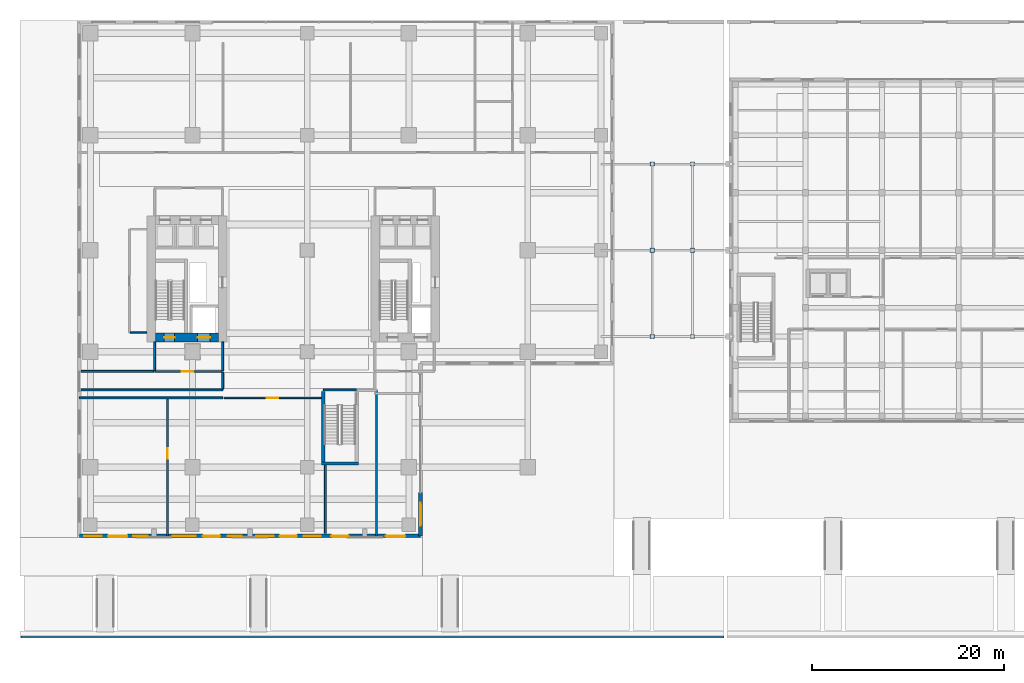
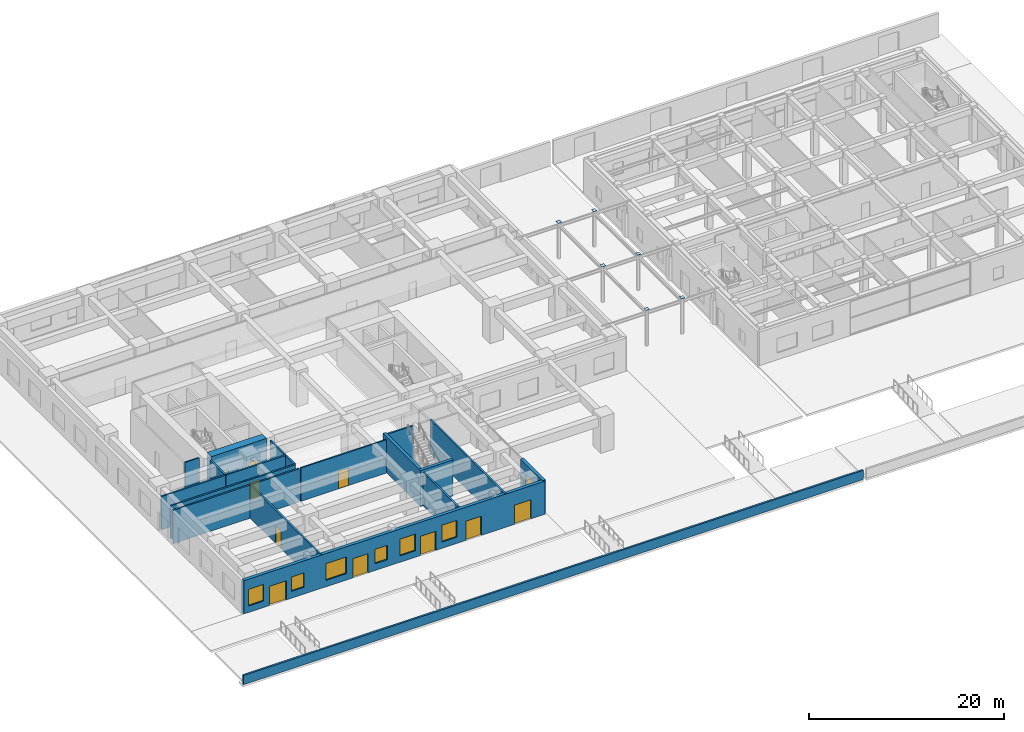
# One storey, part 23 of 39: 19 walls, 10 doors, 7 windows, 6 plates, 17 openings.
"""IFC4 building model written with IfcOpenShell, lengths in metres."""

from ifc_helpers import new_model, si_unit, direction, frame, frame_2d, origin, origin_2d, place, context, subcontext, project, spatial, rectangle, extrude, source, transform, mapped, material, layer, layer_set, type_object, element, fill, save


model = new_model("IFC4")

# Units and contexts
model_context = context("Model", 3, precision=1e-05, world=origin(), true_north=direction((0.0, 1.0)))
body_context = subcontext(model_context, "Body", "Model", "MODEL_VIEW")
ifc_project = project(units=[si_unit("LENGTHUNIT", "METRE"), si_unit("AREAUNIT", "SQUARE_METRE"), si_unit("VOLUMEUNIT", "CUBIC_METRE"), si_unit("PLANEANGLEUNIT", "RADIAN"), si_unit("MASSUNIT", "GRAM", prefix="KILO")], contexts=[model_context])

# Site, building, storey
site_placement = place(None, origin())
site = spatial("IfcSite", under=ifc_project, at=site_placement, CompositionType="ELEMENT")
building_placement = place(site_placement, origin())
building = spatial("IfcBuilding", under=site, at=building_placement, Name="Khoralis Quay Care Tower", CompositionType="ELEMENT")
storey_placement = place(building_placement, origin())
storey = spatial("IfcBuildingStorey", under=building, at=storey_placement, Name="L00", CompositionType="ELEMENT", Elevation=0.0)

# Plates
ifc_material_1 = material(Name="Steel S355", Category="steel")
ifc_layer_1 = layer(ifc_material_1, 0.02490234375)
ifc_layer_set_1 = layer_set([ifc_layer_1], Name="Steel S355")
plate_type = type_object("IfcPlateType", Name="PLT-CAP-450", PredefinedType="USERDEFINED", material=ifc_layer_set_1)
shared_shape_1 = source(origin(), body_context, "Body", "SweptSolid", [
    extrude(rectangle(XDim=0.449951171875, YDim=0.449951171875, at=origin_2d()), origin(), (0.0, 0.0, 1.0), 0.02490234375),
])
for number, where, z_axis, x_axis, name in (
    (1, (60.0, 15.0, 4.487548828125), (0.0, 0.0, 1.0), (1.0, 0.0, 0.0), "Plaza Canopy Column Top Cap Plate 01"),
    (2, (60.0, 24.0, 4.487548828125), (0.0, 0.0, 1.0), (1.0, 0.0, 0.0), "Plaza Canopy Column Top Cap Plate 02"),
    (3, (60.0, 33.0, 4.487548828125), (0.0, 0.0, 1.0), (1.0, 0.0, 0.0), "Plaza Canopy Column Top Cap Plate 03"),
    (4, (64.199951171875, 15.0, 4.487548828125), (0.0, 0.0, 1.0), (1.0, 0.0, 0.0), "Plaza Canopy Column Top Cap Plate 04"),
    (5, (64.199951171875, 24.0, 4.487548828125), (0.0, 0.0, 1.0), (1.0, 0.0, 0.0), "Plaza Canopy Column Top Cap Plate 05"),
    (6, (64.199951171875, 33.0, 4.487548828125), (0.0, 0.0, 1.0), (1.0, 0.0, 0.0), "Plaza Canopy Column Top Cap Plate 06"),
):
    element("IfcPlate", number, at=place(storey_placement, frame(where, z_axis=z_axis, x_axis=x_axis)), inside=storey, type_object=plate_type, Name=name, ObjectType="BASE_PLATE", PredefinedType="USERDEFINED", context=body_context, shape_type="MappedRepresentation", body=[
        mapped(shared_shape_1, transform((0.0, 0.0, 0.0), scale=1.0)),
    ])

# Wall, opening, door
ifc_material_2 = material(Name="Gypsum plasterboard on acoustic metal stud")
ifc_layer_2 = layer(ifc_material_2, 0.199951171875)
ifc_layer_set_2 = layer_set([ifc_layer_2], Name="Gypsum plasterboard on acoustic metal stud")
wall_type_1 = type_object("IfcWallType", Name="WL-COMP-200", PredefinedType="PARTITIONING", material=ifc_layer_set_2)
wall_1_placement = place(storey_placement, frame((8.050048828125, 11.35009765625, 0.0), z_axis=(0.0, 0.0, 1.0), x_axis=(1.0, 0.0, 0.0)))
wall_1 = element("IfcWall", 7, at=wall_1_placement, inside=storey, type_object=wall_type_1, Name="L00 West Firefighting Lobby South Wall", PredefinedType="PARTITIONING", context=body_context, shape_type="SweptSolid", body=[
    extrude(rectangle(XDim=7.099853515625, YDim=0.199951171875, at=frame_2d((3.5498046875, 0.0))), origin(), (0.0, 0.0, 1.0), 4.159912109375),
])
opening_1_placement = place(wall_1_placement, frame((2.846435546875, 0.0, 0.0)))
opening_1 = element("IfcOpeningElement", 8, at=opening_1_placement, cuts=wall_1, Name="Opening FD1", PredefinedType="OPENING", context=body_context, shape_type="SweptSolid", body=[
    extrude(rectangle(XDim=1.199951171875, YDim=2.199951171875, at=frame_2d((0.60009765625, 1.10009765625))), frame((0.0, 0.10986328125, 0.0), z_axis=(0.0, -1.0, 0.0), x_axis=(1.0, 0.0, 0.0)), (0.0, 0.0, 1.0), 0.219970703125),
])
ifc_material_3 = material(Name="Fire-rated painted steel", Category="steel")
door_type_1 = type_object("IfcDoorType", Name="DR-FFL-1200X2200", OperationType="NOTDEFINED", PredefinedType="DOOR", material=ifc_material_3)
shared_shape_2 = source(origin(), body_context, "Body", "SweptSolid", [
    extrude(rectangle(XDim=1.199951171875, YDim=2.199951171875, at=frame_2d((0.60009765625, 1.10009765625))), frame((0.0, 0.02490234375, 0.0), z_axis=(0.0, -1.0, 0.0), x_axis=(1.0, 0.0, 0.0)), (0.0, 0.0, 1.0), 0.050048828125),
])
door_1_placement = place(opening_1_placement, frame((1.199951171875, 0.0, 0.0), z_axis=(0.0, 0.0, 1.0), x_axis=(-1.0, 0.0, 0.0)))
door_1 = element("IfcDoor", 9, at=door_1_placement, inside=storey, type_object=door_type_1, Name="L00 West Firefighting Lobby Fire Door", OperationType="SINGLE_SWING_RIGHT", OverallHeight=2.199951171875, OverallWidth=1.199951171875, PredefinedType="DOOR", context=body_context, shape_type="MappedRepresentation", body=[
    mapped(shared_shape_2, transform((0.0, 0.0, 0.0), scale=1.0)),
])
fill(opening_1, door_1)

# Walls
for number, where, z_axis, x_axis, name in (
    (10, (8.050048828125, 11.445068359375, 0.0), (0.0, 0.0, 1.0), (0.0, 1.0, 0.0), "L00 West Firefighting Lobby West Wall"),
    (11, (15.14990234375, 11.445068359375, 0.0), (0.0, 0.0, 1.0), (0.0, 1.0, 0.0), "L00 West Firefighting Lobby East Wall"),
):
    element("IfcWall", number, at=place(storey_placement, frame(where, z_axis=z_axis, x_axis=x_axis)), inside=storey, type_object=wall_type_1, Name=name, PredefinedType="PARTITIONING", context=body_context, shape_type="SweptSolid", body=[
        extrude(rectangle(XDim=2.98486328125, YDim=0.199951171875, at=frame_2d((1.492431640625, 0.0))), origin(), (0.0, 0.0, 1.0), 4.159912109375),
    ])
wall_2_placement = place(storey_placement, frame((25.679931640625, 9.419921875, 0.0), z_axis=(0.0, 0.0, 1.0), x_axis=(1.0, 0.0, 0.0)))
element("IfcWall", 12, at=wall_2_placement, inside=storey, type_object=wall_type_1, Name="L00 Podium Stair ST-P1 North Wall", PredefinedType="PARTITIONING", context=body_context, shape_type="SweptSolid", body=[
    extrude(rectangle(XDim=3.440185546875, YDim=0.199951171875, at=frame_2d((1.72021484375, 0.0))), origin(), (0.0, 0.0, 1.0), 4.159912109375),
])
wall_3_placement = place(storey_placement, frame((0.389892578125, 9.419921875, 0.0), z_axis=(0.0, 0.0, 1.0), x_axis=(1.0, 0.0, 0.0)))
element("IfcWall", 13, at=wall_3_placement, inside=storey, type_object=wall_type_1, Name="L00 West Core Protected Exit Passage South Wall", PredefinedType="PARTITIONING", context=body_context, shape_type="SweptSolid", body=[
    extrude(rectangle(XDim=14.760009765625, YDim=0.199951171875, at=frame_2d((7.3798828125, 0.0))), origin(), (0.0, 0.0, 1.0), 4.159912109375),
])
wall_4_placement = place(storey_placement, frame((0.389892578125, 11.35009765625, 0.0), z_axis=(0.0, 0.0, 1.0), x_axis=(1.0, 0.0, 0.0)))
element("IfcWall", 14, at=wall_4_placement, inside=storey, type_object=wall_type_1, Name="L00 West Core Protected Exit Passage North Wall", PredefinedType="PARTITIONING", context=body_context, shape_type="SweptSolid", body=[
    extrude(rectangle(XDim=7.565185546875, YDim=0.199951171875, at=frame_2d((3.78271484375, 0.0))), origin(), (0.0, 0.0, 1.0), 4.159912109375),
])
wall_5_placement = place(storey_placement, frame((15.14990234375, 9.514892578125, 0.0), z_axis=(0.0, 0.0, 1.0), x_axis=(0.0, 1.0, 0.0)))
element("IfcWall", 15, at=wall_5_placement, inside=storey, type_object=wall_type_1, Name="L00 West Core Protected Exit Passage East Wall", PredefinedType="PARTITIONING", context=body_context, shape_type="SweptSolid", body=[
    extrude(rectangle(XDim=1.739990234375, YDim=0.199951171875, at=frame_2d((0.8701171875, 0.0))), origin(), (0.0, 0.0, 1.0), 4.159912109375),
])
wall_6_placement = place(storey_placement, frame((0.18505859375, 8.60009765625, 0.0), z_axis=(0.0, 0.0, 1.0), x_axis=(1.0, 0.0, 0.0)))
element("IfcWall", 16, at=wall_6_placement, inside=storey, type_object=wall_type_1, Name="L00 Fire Command & Lobby North Wall", PredefinedType="PARTITIONING", context=body_context, shape_type="SweptSolid", body=[
    extrude(rectangle(XDim=14.96484375, YDim=0.199951171875, at=frame_2d((7.482421875, 0.0))), origin(), (0.0, 0.0, 1.0), 4.159912109375),
])

# Wall, opening, door
wall_7_placement = place(storey_placement, frame((9.39990234375, -5.81494140625, 0.0), z_axis=(0.0, 0.0, 1.0), x_axis=(0.0, 1.0, 0.0)))
wall_7 = element("IfcWall", 17, at=wall_7_placement, inside=storey, type_object=wall_type_1, Name="L00 Fire Command Centre Wall", PredefinedType="PARTITIONING", context=body_context, shape_type="SweptSolid", body=[
    extrude(rectangle(XDim=14.31982421875, YDim=0.199951171875, at=frame_2d((7.159912109375, 0.0))), origin(), (0.0, 0.0, 1.0), 4.159912109375),
])
opening_2_placement = place(wall_7_placement, frame((8.029052734375, 0.0, 0.0)))
opening_2 = element("IfcOpeningElement", 18, at=opening_2_placement, cuts=wall_7, Name="Opening SD1", PredefinedType="OPENING", context=body_context, shape_type="SweptSolid", body=[
    extrude(rectangle(XDim=1.10009765625, YDim=2.199951171875, at=frame_2d((0.550048828125, 1.10009765625))), frame((0.0, 0.10986328125, 0.0), z_axis=(0.0, -1.0, 0.0), x_axis=(1.0, 0.0, 0.0)), (0.0, 0.0, 1.0), 0.219970703125),
])
door_type_2 = type_object("IfcDoorType", Name="DR-STAIR-1100X2200", OperationType="NOTDEFINED", PredefinedType="DOOR", material=ifc_material_3)
shared_shape_3 = source(origin(), body_context, "Body", "SweptSolid", [
    extrude(rectangle(XDim=1.10009765625, YDim=2.199951171875, at=frame_2d((0.550048828125, 1.10009765625))), frame((0.0, 0.02490234375, 0.0), z_axis=(0.0, -1.0, 0.0), x_axis=(1.0, 0.0, 0.0)), (0.0, 0.0, 1.0), 0.050048828125),
])
door_2_placement = place(opening_2_placement, origin())
door_2 = element("IfcDoor", 19, at=door_2_placement, inside=storey, type_object=door_type_2, Name="Fire Command Centre Lobby Door", OperationType="SINGLE_SWING_LEFT", OverallHeight=2.199951171875, OverallWidth=1.10009765625, PredefinedType="DOOR", context=body_context, shape_type="MappedRepresentation", body=[
    mapped(shared_shape_3, transform((0.0, 0.0, 0.0), scale=1.0)),
])
fill(opening_2, door_2)

# Walls
wall_8_placement = place(storey_placement, frame((25.8798828125, -5.550048828125, 0.0), z_axis=(0.0, 0.0, 1.0), x_axis=(0.0, 1.0, 0.0)))
element("IfcWall", 20, at=wall_8_placement, inside=storey, type_object=wall_type_1, Name="L00 Podium Stair Exit Passage West Wall", PredefinedType="PARTITIONING", context=body_context, shape_type="SweptSolid", body=[
    extrude(rectangle(XDim=7.199951171875, YDim=0.199951171875, at=frame_2d((3.60009765625, 0.0))), origin(), (0.0, 0.0, 1.0), 4.159912109375),
])
wall_9_placement = place(storey_placement, frame((31.219970703125, -5.81494140625, 0.0), z_axis=(0.0, 0.0, 1.0), x_axis=(0.0, 1.0, 0.0)))
element("IfcWall", 21, at=wall_9_placement, inside=storey, type_object=wall_type_1, Name="L00 Podium Stair Exit Passage East Wall", PredefinedType="PARTITIONING", context=body_context, shape_type="SweptSolid", body=[
    extrude(rectangle(XDim=15.19482421875, YDim=0.199951171875, at=frame_2d((7.597412109375, 0.0))), origin(), (0.0, 0.0, 1.0), 4.159912109375),
])

# Wall, openings, doors
ifc_material_4 = material(Name="Concrete C80/95", Category="concrete")
ifc_layer_3 = layer(ifc_material_4, 0.89990234375)
ifc_layer_set_3 = layer_set([ifc_layer_3], Name="Concrete C80/95")
wall_type_2 = type_object("IfcWallType", Name="WL-CORE-900", PredefinedType="SHEAR", material=ifc_layer_set_3)
wall_10_placement = place(storey_placement, frame((8.14990234375, 14.89990234375, 0.0), z_axis=(0.0, 0.0, 1.0), x_axis=(1.0, 0.0, 0.0)))
wall_10 = element("IfcWall", 22, at=wall_10_placement, inside=storey, type_object=wall_type_2, Name="L00 WCORE South Shear Wall", PredefinedType="SHEAR", context=body_context, shape_type="SweptSolid", body=[
    extrude(rectangle(XDim=6.550048828125, YDim=0.89990234375, at=frame_2d((3.27490234375, 0.0))), origin(), (0.0, 0.0, 1.0), 4.5),
])
opening_3_placement = place(wall_10_placement, frame((0.89990234375, 0.0, 0.0)))
opening_3 = element("IfcOpeningElement", 23, at=opening_3_placement, cuts=wall_10, Name="Opening SD1", PredefinedType="OPENING", context=body_context, shape_type="SweptSolid", body=[
    extrude(rectangle(XDim=1.10009765625, YDim=2.199951171875, at=frame_2d((0.550048828125, 1.10009765625))), frame((0.0, 0.4599609375, 0.0), z_axis=(0.0, -1.0, 0.0), x_axis=(1.0, 0.0, 0.0)), (0.0, 0.0, 1.0), 0.919921875),
])
opening_4_placement = place(wall_10_placement, frame((4.39990234375, 0.0, 0.0)))
opening_4 = element("IfcOpeningElement", 24, at=opening_4_placement, cuts=wall_10, Name="Opening LD2", PredefinedType="OPENING", context=body_context, shape_type="SweptSolid", body=[
    extrude(rectangle(XDim=1.300048828125, YDim=2.199951171875, at=frame_2d((0.64990234375, 1.10009765625))), frame((0.0, 0.4599609375, 0.0), z_axis=(0.0, -1.0, 0.0), x_axis=(1.0, 0.0, 0.0)), (0.0, 0.0, 1.0), 0.919921875),
])
door_3_placement = place(opening_3_placement, frame((1.10009765625, 0.0, 0.0), z_axis=(0.0, 0.0, 1.0), x_axis=(-1.0, 0.0, 0.0)))
door_3 = element("IfcDoor", 25, at=door_3_placement, inside=storey, type_object=door_type_2, Name="L00 Stair ST-T1 Fire Door", OperationType="SINGLE_SWING_RIGHT", OverallHeight=2.199951171875, OverallWidth=1.10009765625, PredefinedType="DOOR", context=body_context, shape_type="MappedRepresentation", body=[
    mapped(shared_shape_3, transform((0.0, 0.0, 0.0), scale=1.0)),
])
fill(opening_3, door_3)
ifc_material_5 = material(Name="Brushed stainless steel", Category="steel")
door_type_3 = type_object("IfcDoorType", Name="DR-LIFT-1300X2200", OperationType="SLIDING_TO_RIGHT", PredefinedType="DOOR", material=ifc_material_5)
shared_shape_4 = source(origin(), body_context, "Body", "SweptSolid", [
    extrude(rectangle(XDim=1.300048828125, YDim=2.199951171875, at=frame_2d((0.64990234375, 1.10009765625))), frame((0.0, 0.02490234375, 0.0), z_axis=(0.0, -1.0, 0.0), x_axis=(1.0, 0.0, 0.0)), (0.0, 0.0, 1.0), 0.050048828125),
])
door_4_placement = place(opening_4_placement, origin())
door_4 = element("IfcDoor", 26, at=door_4_placement, inside=storey, type_object=door_type_3, Name="L00 Firefighting Lift FFL-1 Landing Door", OperationType="SLIDING_TO_RIGHT", OverallHeight=2.199951171875, OverallWidth=1.300048828125, PredefinedType="DOOR", context=body_context, shape_type="MappedRepresentation", body=[
    mapped(shared_shape_4, transform((0.0, 0.0, 0.0), scale=1.0)),
])
fill(opening_4, door_4)

# Wall, opening, door
ifc_layer_4 = layer(ifc_material_2, 0.1650390625)
ifc_layer_set_4 = layer_set([ifc_layer_4], Name="Gypsum plasterboard on acoustic metal stud")
wall_type_3 = type_object("IfcWallType", Name="WL-CORR-165", PredefinedType="PARTITIONING", material=ifc_layer_set_4)
wall_11_placement = place(storey_placement, frame((15.300048828125, 8.60009765625, 0.0), z_axis=(0.0, 0.0, 1.0), x_axis=(1.0, 0.0, 0.0)))
wall_11 = element("IfcWall", 27, at=wall_11_placement, inside=storey, type_object=wall_type_3, Name="L00 Podium South Concourse Wall", PredefinedType="PARTITIONING", context=body_context, shape_type="SweptSolid", body=[
    extrude(rectangle(XDim=10.14990234375, YDim=0.1650390625, at=frame_2d((5.074951171875, 0.0))), origin(), (0.0, 0.0, 1.0), 4.159912109375),
])
opening_5_placement = place(wall_11_placement, frame((4.47509765625, 0.0, 0.0)))
opening_5 = element("IfcOpeningElement", 28, at=opening_5_placement, cuts=wall_11, Name="Opening FD1", PredefinedType="OPENING", context=body_context, shape_type="SweptSolid", body=[
    extrude(rectangle(XDim=1.199951171875, YDim=2.199951171875, at=frame_2d((0.60009765625, 1.10009765625))), frame((0.0, 0.092529296875, 0.0), z_axis=(0.0, -1.0, 0.0), x_axis=(1.0, 0.0, 0.0)), (0.0, 0.0, 1.0), 0.18505859375),
])
door_5_placement = place(opening_5_placement, frame((1.199951171875, 0.0, 0.0), z_axis=(0.0, 0.0, 1.0), x_axis=(-1.0, 0.0, 0.0)))
door_5 = element("IfcDoor", 29, at=door_5_placement, inside=storey, type_object=door_type_1, Name="Entrance Lobby Concourse Door", OperationType="DOUBLE_DOOR_SINGLE_SWING", OverallHeight=2.199951171875, OverallWidth=1.199951171875, PredefinedType="DOOR", context=body_context, shape_type="MappedRepresentation", body=[
    mapped(shared_shape_2, transform((0.0, 0.0, 0.0), scale=1.0)),
])
fill(opening_5, door_5)

# Wall, openings, windows, doors
ifc_material_6 = material(Name="Precast concrete C45/55", Category="concrete")
ifc_layer_5 = layer(ifc_material_6, 0.3798828125)
ifc_layer_set_5 = layer_set([ifc_layer_5], Name="Precast concrete C45/55")
wall_type_4 = type_object("IfcWallType", Name="WL-EXT-POD-380", PredefinedType="SOLIDWALL", material=ifc_layer_set_5)
wall_12_placement = place(storey_placement, frame((0.18994140625, -5.81005859375, 0.0), z_axis=(0.0, 0.0, 1.0), x_axis=(1.0, 0.0, 0.0)))
wall_12 = element("IfcWall", 30, at=wall_12_placement, inside=storey, type_object=wall_type_4, Name="L00 External Facade Wall WL-POD-L00-E0", PredefinedType="SOLIDWALL", context=body_context, shape_type="SweptSolid", body=[
    extrude(rectangle(XDim=35.6201171875, YDim=0.3798828125, at=frame_2d((17.81005859375, 0.0))), origin(), (0.0, 0.0, 1.0), 4.159912109375),
])
opening_6_placement = place(wall_12_placement, frame((0.534912109375, 0.0, 0.800048828125)))
opening_6 = element("IfcOpeningElement", 31, at=opening_6_placement, cuts=wall_12, Name="Opening W2", PredefinedType="OPENING", context=body_context, shape_type="SweptSolid", body=[
    extrude(rectangle(XDim=1.800048828125, YDim=2.10009765625, at=frame_2d((0.89990234375, 1.050048828125))), frame((0.0, 0.199951171875, 0.0), z_axis=(0.0, -1.0, 0.0), x_axis=(1.0, 0.0, 0.0)), (0.0, 0.0, 1.0), 0.39990234375),
])
opening_7_placement = place(wall_12_placement, frame((5.635009765625, 0.0, 0.85009765625)))
opening_7 = element("IfcOpeningElement", 32, at=opening_7_placement, cuts=wall_12, Name="Opening W3", PredefinedType="OPENING", context=body_context, shape_type="SweptSolid", body=[
    extrude(rectangle(XDim=1.5, YDim=1.800048828125, at=frame_2d((0.75, 0.89990234375))), frame((0.0, 0.199951171875, 0.0), z_axis=(0.0, -1.0, 0.0), x_axis=(1.0, 0.0, 0.0)), (0.0, 0.0, 1.0), 0.39990234375),
])
opening_8_placement = place(wall_12_placement, frame((9.739990234375, 0.0, 0.800048828125)))
opening_8 = element("IfcOpeningElement", 33, at=opening_8_placement, cuts=wall_12, Name="Opening W1", PredefinedType="OPENING", context=body_context, shape_type="SweptSolid", body=[
    extrude(rectangle(XDim=2.39990234375, YDim=2.10009765625, at=frame_2d((1.199951171875, 1.050048828125))), frame((0.0, 0.199951171875, 0.0), z_axis=(0.0, -1.0, 0.0), x_axis=(1.0, 0.0, 0.0)), (0.0, 0.0, 1.0), 0.39990234375),
])
opening_9_placement = place(wall_12_placement, frame((15.485107421875, 0.0, 0.85009765625)))
opening_9 = element("IfcOpeningElement", 34, at=opening_9_placement, cuts=wall_12, Name="Opening W3", PredefinedType="OPENING", context=body_context, shape_type="SweptSolid", body=[
    extrude(rectangle(XDim=1.5, YDim=1.800048828125, at=frame_2d((0.75, 0.89990234375))), frame((0.0, 0.199951171875, 0.0), z_axis=(0.0, -1.0, 0.0), x_axis=(1.0, 0.0, 0.0)), (0.0, 0.0, 1.0), 0.39990234375),
])
opening_10_placement = place(wall_12_placement, frame((18.485107421875, 0.0, 0.800048828125)))
opening_10 = element("IfcOpeningElement", 35, at=opening_10_placement, cuts=wall_12, Name="Opening W2", PredefinedType="OPENING", context=body_context, shape_type="SweptSolid", body=[
    extrude(rectangle(XDim=1.800048828125, YDim=2.10009765625, at=frame_2d((0.89990234375, 1.050048828125))), frame((0.0, 0.199951171875, 0.0), z_axis=(0.0, -1.0, 0.0), x_axis=(1.0, 0.0, 0.0)), (0.0, 0.0, 1.0), 0.39990234375),
])
opening_11_placement = place(wall_12_placement, frame((23.419921875, 0.0, 0.800048828125)))
opening_11 = element("IfcOpeningElement", 36, at=opening_11_placement, cuts=wall_12, Name="Opening W2", PredefinedType="OPENING", context=body_context, shape_type="SweptSolid", body=[
    extrude(rectangle(XDim=1.800048828125, YDim=2.10009765625, at=frame_2d((0.89990234375, 1.050048828125))), frame((0.0, 0.199951171875, 0.0), z_axis=(0.0, -1.0, 0.0), x_axis=(1.0, 0.0, 0.0)), (0.0, 0.0, 1.0), 0.39990234375),
])
opening_12_placement = place(wall_12_placement, frame((3.010009765625, 0.0, 0.0)))
opening_12 = element("IfcOpeningElement", 37, at=opening_12_placement, cuts=wall_12, Name="Opening ED2", PredefinedType="OPENING", context=body_context, shape_type="SweptSolid", body=[
    extrude(rectangle(XDim=2.0, YDim=2.39990234375, at=frame_2d((1.0, 1.199951171875))), frame((0.0, 0.199951171875, 0.0), z_axis=(0.0, -1.0, 0.0), x_axis=(1.0, 0.0, 0.0)), (0.0, 0.0, 1.0), 0.39990234375),
])
opening_13_placement = place(wall_12_placement, frame((12.909912109375, 0.0, 0.0)))
opening_13 = element("IfcOpeningElement", 38, at=opening_13_placement, cuts=wall_12, Name="Opening ED1", PredefinedType="OPENING", context=body_context, shape_type="SweptSolid", body=[
    extrude(rectangle(XDim=1.800048828125, YDim=2.39990234375, at=frame_2d((0.89990234375, 1.199951171875))), frame((0.0, 0.199951171875, 0.0), z_axis=(0.0, -1.0, 0.0), x_axis=(1.0, 0.0, 0.0)), (0.0, 0.0, 1.0), 0.39990234375),
])
opening_14_placement = place(wall_12_placement, frame((20.909912109375, 0.0, 0.0)))
opening_14 = element("IfcOpeningElement", 39, at=opening_14_placement, cuts=wall_12, Name="Opening ED1", PredefinedType="OPENING", context=body_context, shape_type="SweptSolid", body=[
    extrude(rectangle(XDim=1.800048828125, YDim=2.39990234375, at=frame_2d((0.89990234375, 1.199951171875))), frame((0.0, 0.199951171875, 0.0), z_axis=(0.0, -1.0, 0.0), x_axis=(1.0, 0.0, 0.0)), (0.0, 0.0, 1.0), 0.39990234375),
])
opening_15_placement = place(wall_12_placement, frame((26.31005859375, 0.0, 0.0)))
opening_15 = element("IfcOpeningElement", 40, at=opening_15_placement, cuts=wall_12, Name="Opening ED1", PredefinedType="OPENING", context=body_context, shape_type="SweptSolid", body=[
    extrude(rectangle(XDim=1.800048828125, YDim=2.39990234375, at=frame_2d((0.89990234375, 1.199951171875))), frame((0.0, 0.199951171875, 0.0), z_axis=(0.0, -1.0, 0.0), x_axis=(1.0, 0.0, 0.0)), (0.0, 0.0, 1.0), 0.39990234375),
])
opening_16_placement = place(wall_12_placement, frame((32.010009765625, 0.0, 0.0)))
opening_16 = element("IfcOpeningElement", 41, at=opening_16_placement, cuts=wall_12, Name="Opening ED2", PredefinedType="OPENING", context=body_context, shape_type="SweptSolid", body=[
    extrude(rectangle(XDim=2.0, YDim=2.39990234375, at=frame_2d((1.0, 1.199951171875))), frame((0.0, 0.199951171875, 0.0), z_axis=(0.0, -1.0, 0.0), x_axis=(1.0, 0.0, 0.0)), (0.0, 0.0, 1.0), 0.39990234375),
])
ifc_material_7 = material(Name="Low-E solar-control double glazing", Category="glass")
window_type_1 = type_object("IfcWindowType", Name="WN-CLIN-1500X1800", PartitioningType="SINGLE_PANEL", PredefinedType="WINDOW", material=ifc_material_7)
shared_shape_5 = source(origin(), body_context, "Body", "SweptSolid", [
    extrude(rectangle(XDim=1.5, YDim=1.800048828125, at=frame_2d((0.75, 0.89990234375))), frame((0.0, 0.030029296875, 0.0), z_axis=(0.0, -1.0, 0.0), x_axis=(1.0, 0.0, 0.0)), (0.0, 0.0, 1.0), 0.06005859375),
])
window_1_placement = place(opening_7_placement, origin())
window_1 = element("IfcWindow", 42, at=window_1_placement, inside=storey, type_object=window_type_1, Name="WN-POD-L00-E0 Facade Window 02", OverallHeight=1.800048828125, OverallWidth=1.5, PartitioningType="SINGLE_PANEL", PredefinedType="WINDOW", context=body_context, shape_type="MappedRepresentation", body=[
    mapped(shared_shape_5, transform((0.0, 0.0, 0.0), scale=1.0)),
])
fill(opening_7, window_1)
window_2_placement = place(opening_9_placement, origin())
window_2 = element("IfcWindow", 43, at=window_2_placement, inside=storey, type_object=window_type_1, Name="WN-POD-L00-E0 Facade Window 04", OverallHeight=1.800048828125, OverallWidth=1.5, PartitioningType="SINGLE_PANEL", PredefinedType="WINDOW", context=body_context, shape_type="MappedRepresentation", body=[
    mapped(shared_shape_5, transform((0.0, 0.0, 0.0), scale=1.0)),
])
fill(opening_9, window_2)
window_type_2 = type_object("IfcWindowType", Name="WN-POD-2400X2100", PartitioningType="SINGLE_PANEL", PredefinedType="WINDOW", material=ifc_material_7)
shared_shape_6 = source(origin(), body_context, "Body", "SweptSolid", [
    extrude(rectangle(XDim=2.39990234375, YDim=2.10009765625, at=frame_2d((1.199951171875, 1.050048828125))), frame((0.0, 0.030029296875, 0.0), z_axis=(0.0, -1.0, 0.0), x_axis=(1.0, 0.0, 0.0)), (0.0, 0.0, 1.0), 0.06005859375),
])
window_3_placement = place(opening_8_placement, origin())
window_3 = element("IfcWindow", 44, at=window_3_placement, inside=storey, type_object=window_type_2, Name="WN-POD-L00-E0 Facade Window 03", OverallHeight=2.10009765625, OverallWidth=2.39990234375, PartitioningType="SINGLE_PANEL", PredefinedType="WINDOW", context=body_context, shape_type="MappedRepresentation", body=[
    mapped(shared_shape_6, transform((0.0, 0.0, 0.0), scale=1.0)),
])
fill(opening_8, window_3)
window_type_3 = type_object("IfcWindowType", Name="WN-POD-1800X2100", PartitioningType="SINGLE_PANEL", PredefinedType="WINDOW", material=ifc_material_7)
shared_shape_7 = source(origin(), body_context, "Body", "SweptSolid", [
    extrude(rectangle(XDim=1.800048828125, YDim=2.10009765625, at=frame_2d((0.89990234375, 1.050048828125))), frame((0.0, 0.030029296875, 0.0), z_axis=(0.0, -1.0, 0.0), x_axis=(1.0, 0.0, 0.0)), (0.0, 0.0, 1.0), 0.06005859375),
])
window_4_placement = place(opening_6_placement, origin())
window_4 = element("IfcWindow", 45, at=window_4_placement, inside=storey, type_object=window_type_3, Name="WN-POD-L00-E0 Facade Window 01", OverallHeight=2.10009765625, OverallWidth=1.800048828125, PartitioningType="SINGLE_PANEL", PredefinedType="WINDOW", context=body_context, shape_type="MappedRepresentation", body=[
    mapped(shared_shape_7, transform((0.0, 0.0, 0.0), scale=1.0)),
])
fill(opening_6, window_4)
window_5_placement = place(opening_10_placement, origin())
window_5 = element("IfcWindow", 46, at=window_5_placement, inside=storey, type_object=window_type_3, Name="WN-POD-L00-E0 Facade Window 05", OverallHeight=2.10009765625, OverallWidth=1.800048828125, PartitioningType="SINGLE_PANEL", PredefinedType="WINDOW", context=body_context, shape_type="MappedRepresentation", body=[
    mapped(shared_shape_7, transform((0.0, 0.0, 0.0), scale=1.0)),
])
fill(opening_10, window_5)
window_6_placement = place(opening_11_placement, origin())
window_6 = element("IfcWindow", 47, at=window_6_placement, inside=storey, type_object=window_type_3, Name="WN-POD-L00-E0 Facade Window 06", OverallHeight=2.10009765625, OverallWidth=1.800048828125, PartitioningType="SINGLE_PANEL", PredefinedType="WINDOW", context=body_context, shape_type="MappedRepresentation", body=[
    mapped(shared_shape_7, transform((0.0, 0.0, 0.0), scale=1.0)),
])
fill(opening_11, window_6)
ifc_material_8 = material(Name="Anodised aluminium and laminated safety glass", Category="aluminium")
door_type_4 = type_object("IfcDoorType", Name="DR-EXT-2000X2400", OperationType="NOTDEFINED", PredefinedType="DOOR", material=ifc_material_8)
shared_shape_8 = source(origin(), body_context, "Body", "SweptSolid", [
    extrude(rectangle(XDim=2.0, YDim=2.39990234375, at=frame_2d((1.0, 1.199951171875))), frame((0.0, 0.02490234375, 0.0), z_axis=(0.0, -1.0, 0.0), x_axis=(1.0, 0.0, 0.0)), (0.0, 0.0, 1.0), 0.050048828125),
])
door_6_placement = place(opening_12_placement, frame((2.0, 0.0, 0.0), z_axis=(0.0, 0.0, 1.0), x_axis=(-1.0, 0.0, 0.0)))
door_6 = element("IfcDoor", 48, at=door_6_placement, inside=storey, type_object=door_type_4, Name="Fire Command Emergency Exit Door", OperationType="DOUBLE_DOOR_SINGLE_SWING", OverallHeight=2.39990234375, OverallWidth=2.0, PredefinedType="DOOR", context=body_context, shape_type="MappedRepresentation", body=[
    mapped(shared_shape_8, transform((0.0, 0.0, 0.0), scale=1.0)),
])
fill(opening_12, door_6)
door_7_placement = place(opening_16_placement, frame((2.0, 0.0, 0.0), z_axis=(0.0, 0.0, 1.0), x_axis=(-1.0, 0.0, 0.0)))
door_7 = element("IfcDoor", 49, at=door_7_placement, inside=storey, type_object=door_type_4, Name="Podium East Concourse Final Exit Door", OperationType="DOUBLE_DOOR_SINGLE_SWING", OverallHeight=2.39990234375, OverallWidth=2.0, PredefinedType="DOOR", context=body_context, shape_type="MappedRepresentation", body=[
    mapped(shared_shape_8, transform((0.0, 0.0, 0.0), scale=1.0)),
])
fill(opening_16, door_7)
door_type_5 = type_object("IfcDoorType", Name="DR-EXT-1800X2400", OperationType="NOTDEFINED", PredefinedType="DOOR", material=ifc_material_8)
shared_shape_9 = source(origin(), body_context, "Body", "SweptSolid", [
    extrude(rectangle(XDim=1.800048828125, YDim=2.39990234375, at=frame_2d((0.89990234375, 1.199951171875))), frame((0.0, 0.02490234375, 0.0), z_axis=(0.0, -1.0, 0.0), x_axis=(1.0, 0.0, 0.0)), (0.0, 0.0, 1.0), 0.050048828125),
])
door_8_placement = place(opening_13_placement, frame((1.800048828125, 0.0, 0.0), z_axis=(0.0, 0.0, 1.0), x_axis=(-1.0, 0.0, 0.0)))
door_8 = element("IfcDoor", 50, at=door_8_placement, inside=storey, type_object=door_type_5, Name="Waterfront Care Tower Main Entrance Door 1", OperationType="DOUBLE_DOOR_SINGLE_SWING", OverallHeight=2.39990234375, OverallWidth=1.800048828125, PredefinedType="DOOR", context=body_context, shape_type="MappedRepresentation", body=[
    mapped(shared_shape_9, transform((0.0, 0.0, 0.0), scale=1.0)),
])
fill(opening_13, door_8)
door_9_placement = place(opening_14_placement, frame((1.800048828125, 0.0, 0.0), z_axis=(0.0, 0.0, 1.0), x_axis=(-1.0, 0.0, 0.0)))
door_9 = element("IfcDoor", 51, at=door_9_placement, inside=storey, type_object=door_type_5, Name="Waterfront Care Tower Main Entrance Door 2", OperationType="DOUBLE_DOOR_SINGLE_SWING", OverallHeight=2.39990234375, OverallWidth=1.800048828125, PredefinedType="DOOR", context=body_context, shape_type="MappedRepresentation", body=[
    mapped(shared_shape_9, transform((0.0, 0.0, 0.0), scale=1.0)),
])
fill(opening_14, door_9)
door_10_placement = place(opening_15_placement, frame((1.800048828125, 0.0, 0.0), z_axis=(0.0, 0.0, 1.0), x_axis=(-1.0, 0.0, 0.0)))
door_10 = element("IfcDoor", 52, at=door_10_placement, inside=storey, type_object=door_type_5, Name="Podium Stair ST-P1 Protected Passage Final Exit Door", OperationType="DOUBLE_DOOR_SINGLE_SWING", OverallHeight=2.39990234375, OverallWidth=1.800048828125, PredefinedType="DOOR", context=body_context, shape_type="MappedRepresentation", body=[
    mapped(shared_shape_9, transform((0.0, 0.0, 0.0), scale=1.0)),
])
fill(opening_15, door_10)

# Wall, opening, window
wall_13_placement = place(storey_placement, frame((35.81005859375, -5.81005859375, 0.0), z_axis=(0.0, 0.0, 1.0), x_axis=(0.0, 1.0, 0.0)))
wall_13 = element("IfcWall", 53, at=wall_13_placement, inside=storey, type_object=wall_type_4, Name="L00 External Facade Wall WL-POD-L00-E1A", PredefinedType="SOLIDWALL", context=body_context, shape_type="SweptSolid", body=[
    extrude(rectangle(XDim=4.5, YDim=0.3798828125, at=frame_2d((2.25, 0.0))), origin(), (0.0, 0.0, 1.0), 4.159912109375),
])
opening_17_placement = place(wall_13_placement, frame((1.050048828125, 0.0, 0.800048828125)))
opening_17 = element("IfcOpeningElement", 54, at=opening_17_placement, cuts=wall_13, Name="Opening W1", PredefinedType="OPENING", context=body_context, shape_type="SweptSolid", body=[
    extrude(rectangle(XDim=2.39990234375, YDim=2.10009765625, at=frame_2d((1.199951171875, 1.050048828125))), frame((0.0, 0.199951171875, 0.0), z_axis=(0.0, -1.0, 0.0), x_axis=(1.0, 0.0, 0.0)), (0.0, 0.0, 1.0), 0.39990234375),
])
window_7_placement = place(opening_17_placement, origin())
window_7 = element("IfcWindow", 55, at=window_7_placement, inside=storey, type_object=window_type_2, Name="WN-POD-L00-1A Facade Window 01", OverallHeight=2.10009765625, OverallWidth=2.39990234375, PartitioningType="SINGLE_PANEL", PredefinedType="WINDOW", context=body_context, shape_type="MappedRepresentation", body=[
    mapped(shared_shape_6, transform((0.0, 0.0, 0.0), scale=1.0)),
])
fill(opening_17, window_7)

# Walls
ifc_material_9 = material(Name="Precast concrete C40/50", Category="concrete")
ifc_layer_6 = layer(ifc_material_9, 0.219970703125)
ifc_layer_set_6 = layer_set([ifc_layer_6], Name="Precast concrete C40/50")
wall_type_5 = type_object("IfcWallType", Name="WL-PARAPET-220", PredefinedType="PARAPET", material=ifc_layer_set_6)
wall_14_placement = place(storey_placement, frame((-5.89990234375, -16.3798828125, -0.360107421875), z_axis=(0.0, 0.0, 1.0), x_axis=(1.0, 0.0, 0.0)))
element("IfcWall", 56, at=wall_14_placement, inside=storey, type_object=wall_type_5, Name="Doha West Bay Quay Sea-Wall Parapet West", PredefinedType="PARAPET", context=body_context, shape_type="SweptSolid", body=[
    extrude(rectangle(XDim=73.375, YDim=0.219970703125, at=frame_2d((36.6875, 0.0))), origin(), (0.0, 0.0, 1.0), 1.150146484375),
])
ifc_material_10 = material(Name="Concrete C40/50", Category="concrete")
ifc_layer_7 = layer(ifc_material_10, 0.35009765625)
ifc_layer_set_7 = layer_set([ifc_layer_7], Name="Concrete C40/50")
wall_type_6 = type_object("IfcWallType", Name="WL-SC-CORE-350", PredefinedType="SHEAR", material=ifc_layer_set_7)
wall_15_placement = place(storey_placement, frame((25.64501953125, 1.570068359375, 0.0), z_axis=(0.0, 0.0, 1.0), x_axis=(0.0, 1.0, 0.0)))
element("IfcWall", 57, at=wall_15_placement, inside=storey, type_object=wall_type_6, Name="L00 Podium Stair ST-P1 West Shear Wall", PredefinedType="SHEAR", context=body_context, shape_type="SweptSolid", body=[
    extrude(rectangle(XDim=7.7099609375, YDim=0.35009765625, at=frame_2d((3.85498046875, 0.0))), origin(), (0.0, 0.0, 1.0), 4.5),
])
wall_16_placement = place(storey_placement, frame((25.469970703125, 1.7451171875, 0.0), z_axis=(0.0, 0.0, 1.0), x_axis=(1.0, 0.0, 0.0)))
element("IfcWall", 58, at=wall_16_placement, inside=storey, type_object=wall_type_6, Name="L00 Podium Stair ST-P1 South Shear Wall", PredefinedType="SHEAR", context=body_context, shape_type="SweptSolid", body=[
    extrude(rectangle(XDim=3.860107421875, YDim=0.35009765625, at=frame_2d((1.93017578125, 0.0))), origin(), (0.0, 0.0, 1.0), 4.5),
])
ifc_layer_8 = layer(ifc_material_2, 0.139892578125)
ifc_layer_set_8 = layer_set([ifc_layer_8], Name="Gypsum plasterboard on acoustic metal stud")
wall_type_7 = type_object("IfcWallType", Name="WL-UNIT-140", PredefinedType="PARTITIONING", material=ifc_layer_set_8)
wall_17_placement = place(storey_placement, frame((5.527587890625, 15.39990234375, 0.0), z_axis=(0.0, 0.0, 1.0), x_axis=(1.0, 0.0, 0.0)))
element("IfcWall", 59, at=wall_17_placement, inside=storey, type_object=wall_type_7, Name="L00 West Flank South Cap", PredefinedType="PARTITIONING", context=body_context, shape_type="SweptSolid", body=[
    extrude(rectangle(XDim=1.682373046875, YDim=0.139892578125, at=frame_2d((0.84130859375, 0.0))), origin(), (0.0, 0.0, 1.0), 4.159912109375),
])

save(model, "model.ifc")
